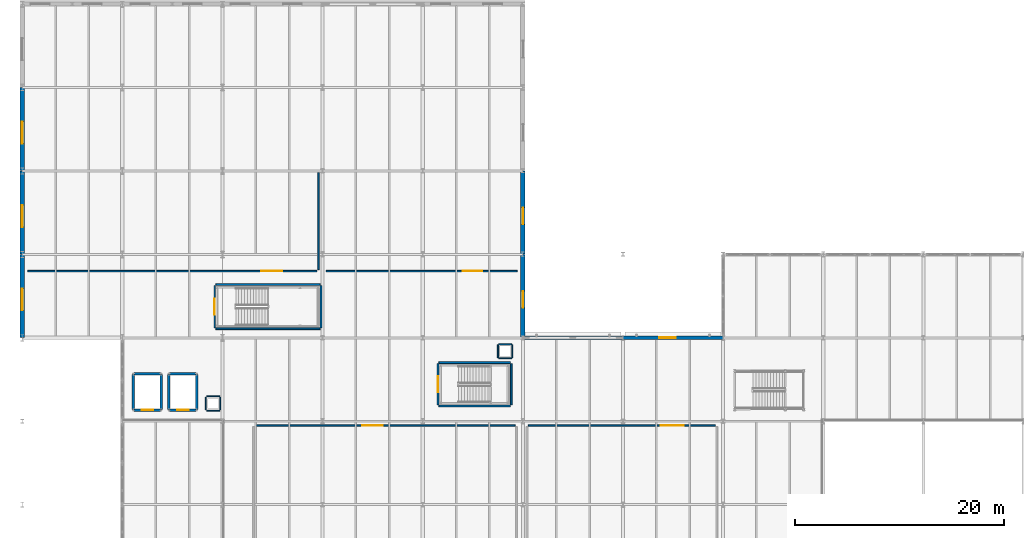
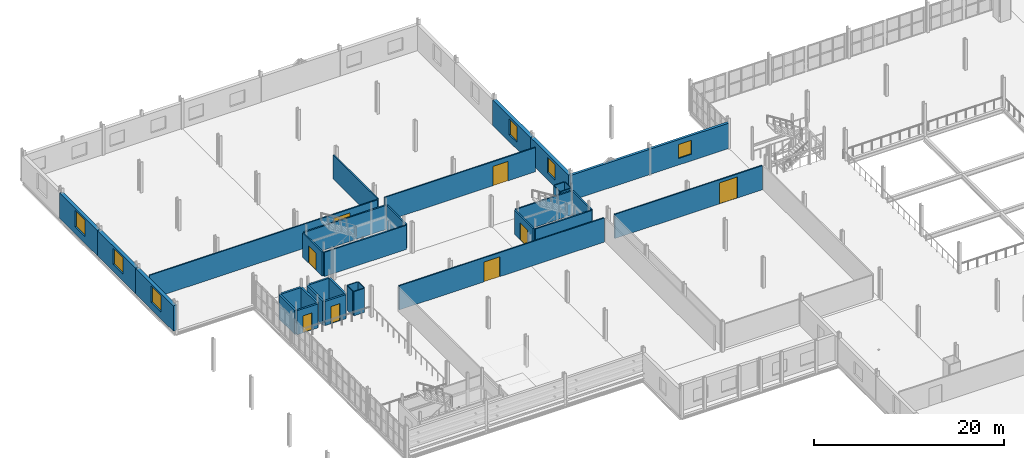
# One storey, part 62 of 78: 36 walls, 8 doors, 6 windows, 14 openings.
"""IFC4 building model written with IfcOpenShell, lengths in metres."""

from ifc_helpers import new_model, si_unit, direction, frame, frame_2d, origin, place, context, subcontext, project, spatial, rectangle, extrude, material, layer, layer_set, type_object, element, fill, save


model = new_model("IFC4")

# Units and contexts
model_context = context("Model", 3, precision=1e-05, world=origin(), true_north=direction((0.0, 1.0)))
body_context = subcontext(model_context, "Body", "Model", "MODEL_VIEW")
ifc_project = project(units=[si_unit("LENGTHUNIT", "METRE"), si_unit("AREAUNIT", "SQUARE_METRE"), si_unit("VOLUMEUNIT", "CUBIC_METRE"), si_unit("PLANEANGLEUNIT", "RADIAN"), si_unit("MASSUNIT", "GRAM", prefix="KILO")], contexts=[model_context])

# Site, building, storey
site_placement = place(None, origin())
site = spatial("IfcSite", under=ifc_project, at=site_placement, CompositionType="ELEMENT")
building_placement = place(site_placement, origin())
building = spatial("IfcBuilding", under=site, at=building_placement, Name="Alderhovde Museum", CompositionType="ELEMENT")
storey_placement = place(building_placement, frame((0.0, 0.0, 4.5)))
storey = spatial("IfcBuildingStorey", under=building, at=storey_placement, Name="L01", CompositionType="ELEMENT", Elevation=4.5)

# Wall, opening, window
ifc_material_1 = material(Name="Nordic Granite Plinth Masonry", Category="masonry")
ifc_layer_1 = layer(ifc_material_1, 0.419921875)
ifc_layer_set_1 = layer_set([ifc_layer_1], Name="Nordic Granite Plinth Masonry")
wall_type_1 = type_object("IfcWallType", Name="EW-GRAN-420", PredefinedType="SOLIDWALL", material=ifc_layer_set_1)
wall_1_placement = place(storey_placement, frame((9.60009765625, 80.02001953125, 0.0), z_axis=(0.0, 0.0, 1.0), x_axis=(0.0, 1.0, 0.0)))
wall_1 = element("IfcWall", 1, at=wall_1_placement, inside=storey, type_object=wall_type_1, Name="L01 North Wing West Wall 133", PredefinedType="SOLIDWALL", context=body_context, shape_type="SweptSolid", body=[
    extrude(rectangle(XDim=7.9599609375, YDim=0.419921875, at=frame_2d((3.97998046875, 0.0))), origin(), (0.0, 0.0, 1.0), 3.260009765625),
])
opening_1_placement = place(wall_1_placement, frame((2.60009765625, 0.0, 0.89990234375)))
opening_1 = element("IfcOpeningElement", 2, at=opening_1_placement, cuts=wall_1, Name="Opening W10", PredefinedType="OPENING", context=body_context, shape_type="SweptSolid", body=[
    extrude(rectangle(XDim=2.10009765625, YDim=2.10009765625, at=frame_2d((1.050048828125, 1.050048828125))), frame((0.0, 0.219970703125, 0.0), z_axis=(0.0, -1.0, 0.0), x_axis=(1.0, 0.0, 0.0)), (0.0, 0.0, 1.0), 0.43994140625),
])
ifc_material_2 = material(Name="Triple-Glazed Low-E Bronze-Anodised Aluminium", Category="aluminium")
window_type_1 = type_object("IfcWindowType", Name="WIN-BA-2100x2100", PartitioningType="DOUBLE_PANEL_VERTICAL", PredefinedType="WINDOW", material=ifc_material_2)
window_1_placement = place(opening_1_placement, origin())
window_1 = element("IfcWindow", 3, at=window_1_placement, inside=storey, type_object=window_type_1, Name="L01 Facade Window 111", OverallHeight=2.10009765625, OverallWidth=2.10009765625, PartitioningType="SINGLE_PANEL", PredefinedType="WINDOW", context=body_context, shape_type="SweptSolid", body=[
    extrude(rectangle(XDim=2.10009765625, YDim=2.10009765625, at=frame_2d((1.050048828125, 1.050048828125))), frame((0.0, 0.030029296875, 0.0), z_axis=(0.0, -1.0, 0.0), x_axis=(1.0, 0.0, 0.0)), (0.0, 0.0, 1.0), 0.06005859375),
])
fill(opening_1, window_1)

wall_2_placement = place(storey_placement, frame((57.60009765625, 80.02001953125, 0.0), z_axis=(0.0, 0.0, 1.0), x_axis=(0.0, 1.0, 0.0)))
wall_2 = element("IfcWall", 4, at=wall_2_placement, inside=storey, type_object=wall_type_1, Name="L01 North Wing East Wall 134", PredefinedType="SOLIDWALL", context=body_context, shape_type="SweptSolid", body=[
    extrude(rectangle(XDim=7.9599609375, YDim=0.419921875, at=frame_2d((3.97998046875, 0.0))), origin(), (0.0, 0.0, 1.0), 3.260009765625),
])
opening_2_placement = place(wall_2_placement, frame((2.85009765625, 0.0, 0.89990234375)))
opening_2 = element("IfcOpeningElement", 5, at=opening_2_placement, cuts=wall_2, Name="Opening W17", PredefinedType="OPENING", context=body_context, shape_type="SweptSolid", body=[
    extrude(rectangle(XDim=1.60009765625, YDim=2.0, at=frame_2d((0.800048828125, 1.0))), frame((0.0, 0.219970703125, 0.0), z_axis=(0.0, -1.0, 0.0), x_axis=(1.0, 0.0, 0.0)), (0.0, 0.0, 1.0), 0.43994140625),
])
ifc_material_3 = material(Name="Triple-Glazed Low-E Bronze-Anodised Aluminium", Category="aluminium")
window_type_2 = type_object("IfcWindowType", Name="WIN-LAB-1600x2000", PartitioningType="DOUBLE_PANEL_VERTICAL", PredefinedType="WINDOW", material=ifc_material_3)
window_2_placement = place(opening_2_placement, origin())
window_2 = element("IfcWindow", 6, at=window_2_placement, inside=storey, type_object=window_type_2, Name="L01 Facade Window 112", OverallHeight=2.0, OverallWidth=1.60009765625, PartitioningType="SINGLE_PANEL", PredefinedType="WINDOW", context=body_context, shape_type="SweptSolid", body=[
    extrude(rectangle(XDim=1.60009765625, YDim=2.0, at=frame_2d((0.800048828125, 1.0))), frame((0.0, 0.030029296875, 0.0), z_axis=(0.0, -1.0, 0.0), x_axis=(1.0, 0.0, 0.0)), (0.0, 0.0, 1.0), 0.06005859375),
])
fill(opening_2, window_2)

wall_3_placement = place(storey_placement, frame((9.60009765625, 88.02001953125, 0.0), z_axis=(0.0, 0.0, 1.0), x_axis=(0.0, 1.0, 0.0)))
wall_3 = element("IfcWall", 7, at=wall_3_placement, inside=storey, type_object=wall_type_1, Name="L01 North Wing West Wall 135", PredefinedType="SOLIDWALL", context=body_context, shape_type="SweptSolid", body=[
    extrude(rectangle(XDim=7.9599609375, YDim=0.419921875, at=frame_2d((3.97998046875, 0.0))), origin(), (0.0, 0.0, 1.0), 3.260009765625),
])
opening_3_placement = place(wall_3_placement, frame((2.60009765625, 0.0, 0.89990234375)))
opening_3 = element("IfcOpeningElement", 8, at=opening_3_placement, cuts=wall_3, Name="Opening W10", PredefinedType="OPENING", context=body_context, shape_type="SweptSolid", body=[
    extrude(rectangle(XDim=2.10009765625, YDim=2.10009765625, at=frame_2d((1.050048828125, 1.050048828125))), frame((0.0, 0.219970703125, 0.0), z_axis=(0.0, -1.0, 0.0), x_axis=(1.0, 0.0, 0.0)), (0.0, 0.0, 1.0), 0.43994140625),
])
window_3_placement = place(opening_3_placement, origin())
window_3 = element("IfcWindow", 9, at=window_3_placement, inside=storey, type_object=window_type_1, Name="L01 Facade Window 113", OverallHeight=2.10009765625, OverallWidth=2.10009765625, PartitioningType="SINGLE_PANEL", PredefinedType="WINDOW", context=body_context, shape_type="SweptSolid", body=[
    extrude(rectangle(XDim=2.10009765625, YDim=2.10009765625, at=frame_2d((1.050048828125, 1.050048828125))), frame((0.0, 0.030029296875, 0.0), z_axis=(0.0, -1.0, 0.0), x_axis=(1.0, 0.0, 0.0)), (0.0, 0.0, 1.0), 0.06005859375),
])
fill(opening_3, window_3)

wall_4_placement = place(storey_placement, frame((57.60009765625, 88.02001953125, 0.0), z_axis=(0.0, 0.0, 1.0), x_axis=(0.0, 1.0, 0.0)))
wall_4 = element("IfcWall", 10, at=wall_4_placement, inside=storey, type_object=wall_type_1, Name="L01 North Wing East Wall 136", PredefinedType="SOLIDWALL", context=body_context, shape_type="SweptSolid", body=[
    extrude(rectangle(XDim=7.9599609375, YDim=0.419921875, at=frame_2d((3.97998046875, 0.0))), origin(), (0.0, 0.0, 1.0), 3.260009765625),
])
opening_4_placement = place(wall_4_placement, frame((2.85009765625, 0.0, 0.89990234375)))
opening_4 = element("IfcOpeningElement", 11, at=opening_4_placement, cuts=wall_4, Name="Opening W17", PredefinedType="OPENING", context=body_context, shape_type="SweptSolid", body=[
    extrude(rectangle(XDim=1.60009765625, YDim=2.0, at=frame_2d((0.800048828125, 1.0))), frame((0.0, 0.219970703125, 0.0), z_axis=(0.0, -1.0, 0.0), x_axis=(1.0, 0.0, 0.0)), (0.0, 0.0, 1.0), 0.43994140625),
])
window_4_placement = place(opening_4_placement, origin())
window_4 = element("IfcWindow", 12, at=window_4_placement, inside=storey, type_object=window_type_2, Name="L01 Facade Window 114", OverallHeight=2.0, OverallWidth=1.60009765625, PartitioningType="SINGLE_PANEL", PredefinedType="WINDOW", context=body_context, shape_type="SweptSolid", body=[
    extrude(rectangle(XDim=1.60009765625, YDim=2.0, at=frame_2d((0.800048828125, 1.0))), frame((0.0, 0.030029296875, 0.0), z_axis=(0.0, -1.0, 0.0), x_axis=(1.0, 0.0, 0.0)), (0.0, 0.0, 1.0), 0.06005859375),
])
fill(opening_4, window_4)

wall_5_placement = place(storey_placement, frame((9.60009765625, 96.02001953125, 0.0), z_axis=(0.0, 0.0, 1.0), x_axis=(0.0, 1.0, 0.0)))
wall_5 = element("IfcWall", 13, at=wall_5_placement, inside=storey, type_object=wall_type_1, Name="L01 North Wing West Wall 137", PredefinedType="SOLIDWALL", context=body_context, shape_type="SweptSolid", body=[
    extrude(rectangle(XDim=7.9599609375, YDim=0.419921875, at=frame_2d((3.97998046875, 0.0))), origin(), (0.0, 0.0, 1.0), 3.260009765625),
])
opening_5_placement = place(wall_5_placement, frame((2.60009765625, 0.0, 0.89990234375)))
opening_5 = element("IfcOpeningElement", 14, at=opening_5_placement, cuts=wall_5, Name="Opening W10", PredefinedType="OPENING", context=body_context, shape_type="SweptSolid", body=[
    extrude(rectangle(XDim=2.10009765625, YDim=2.10009765625, at=frame_2d((1.050048828125, 1.050048828125))), frame((0.0, 0.219970703125, 0.0), z_axis=(0.0, -1.0, 0.0), x_axis=(1.0, 0.0, 0.0)), (0.0, 0.0, 1.0), 0.43994140625),
])
window_5_placement = place(opening_5_placement, origin())
window_5 = element("IfcWindow", 15, at=window_5_placement, inside=storey, type_object=window_type_1, Name="L01 Facade Window 115", OverallHeight=2.10009765625, OverallWidth=2.10009765625, PartitioningType="SINGLE_PANEL", PredefinedType="WINDOW", context=body_context, shape_type="SweptSolid", body=[
    extrude(rectangle(XDim=2.10009765625, YDim=2.10009765625, at=frame_2d((1.050048828125, 1.050048828125))), frame((0.0, 0.030029296875, 0.0), z_axis=(0.0, -1.0, 0.0), x_axis=(1.0, 0.0, 0.0)), (0.0, 0.0, 1.0), 0.06005859375),
])
fill(opening_5, window_5)

# Wall
ifc_material_4 = material(Name="Insulated Zinc-Clad Backing Wall")
ifc_layer_2 = layer(ifc_material_4, 0.300048828125)
ifc_layer_set_2 = layer_set([ifc_layer_2], Name="Insulated Zinc-Clad Backing Wall")
wall_type_2 = type_object("IfcWallType", Name="EW-ZINC-300", PredefinedType="SOLIDWALL", material=ifc_layer_set_2)
wall_6_placement = place(storey_placement, frame((57.6201171875, 80.0, 0.0), z_axis=(0.0, 0.0, 1.0), x_axis=(1.0, 0.0, 0.0)))
element("IfcWall", 16, at=wall_6_placement, inside=storey, type_object=wall_type_2, Name="L01 Folded Wing North Wall 20", PredefinedType="SOLIDWALL", context=body_context, shape_type="SweptSolid", body=[
    extrude(rectangle(XDim=9.559814453125, YDim=0.300048828125, at=frame_2d((4.77978515625, 0.0))), origin(), (0.0, 0.0, 1.0), 3.260009765625),
])

# Wall, opening, window
wall_7_placement = place(storey_placement, frame((67.219970703125, 80.0, 0.0), z_axis=(0.0, 0.0, 1.0), x_axis=(1.0, 0.0, 0.0)))
wall_7 = element("IfcWall", 17, at=wall_7_placement, inside=storey, type_object=wall_type_2, Name="L01 Folded Wing North Wall 21", PredefinedType="SOLIDWALL", context=body_context, shape_type="SweptSolid", body=[
    extrude(rectangle(XDim=9.56005859375, YDim=0.300048828125, at=frame_2d((4.780029296875, 0.0))), origin(), (0.0, 0.0, 1.0), 3.260009765625),
])
opening_6_placement = place(wall_7_placement, frame((3.449951171875, 0.0, 0.85009765625)))
opening_6 = element("IfcOpeningElement", 18, at=opening_6_placement, cuts=wall_7, Name="Opening W12", PredefinedType="OPENING", context=body_context, shape_type="SweptSolid", body=[
    extrude(rectangle(XDim=1.60009765625, YDim=1.800048828125, at=frame_2d((0.800048828125, 0.89990234375))), frame((0.0, 0.159912109375, 0.0), z_axis=(0.0, -1.0, 0.0), x_axis=(1.0, 0.0, 0.0)), (0.0, 0.0, 1.0), 0.320068359375),
])
ifc_material_5 = material(Name="Triple-Glazed Low-E Bronze-Anodised Aluminium", Category="aluminium")
window_type_3 = type_object("IfcWindowType", Name="WIN-ATT-1600x1800", PartitioningType="DOUBLE_PANEL_VERTICAL", PredefinedType="WINDOW", material=ifc_material_5)
window_6_placement = place(opening_6_placement, origin())
window_6 = element("IfcWindow", 19, at=window_6_placement, inside=storey, type_object=window_type_3, Name="L01 Facade Window 17", OverallHeight=1.800048828125, OverallWidth=1.60009765625, PartitioningType="SINGLE_PANEL", PredefinedType="WINDOW", context=body_context, shape_type="SweptSolid", body=[
    extrude(rectangle(XDim=1.60009765625, YDim=1.800048828125, at=frame_2d((0.800048828125, 0.89990234375))), frame((0.0, 0.030029296875, 0.0), z_axis=(0.0, -1.0, 0.0), x_axis=(1.0, 0.0, 0.0)), (0.0, 0.0, 1.0), 0.06005859375),
])
fill(opening_6, window_6)

# Wall, opening, door
ifc_material_6 = material(Name="Plywood-Backed Gallery Display Partition", Category="wood")
ifc_layer_3 = layer(ifc_material_6, 0.14990234375)
ifc_layer_set_3 = layer_set([ifc_layer_3], Name="Plywood-Backed Gallery Display Partition")
wall_type_3 = type_object("IfcWallType", Name="IW-GAL-150", PredefinedType="PARTITIONING", material=ifc_layer_set_3)
wall_8_placement = place(storey_placement, frame((31.93994140625, 71.60009765625, 0.0), z_axis=(0.0, 0.0, 1.0), x_axis=(1.0, 0.0, 0.0)))
wall_8 = element("IfcWall", 20, at=wall_8_placement, inside=storey, type_object=wall_type_3, Name="L01 Classical Antiquities Gallery Partition Wall N", PredefinedType="PARTITIONING", context=body_context, shape_type="SweptSolid", body=[
    extrude(rectangle(XDim=24.920166015625, YDim=0.14990234375, at=frame_2d((12.4599609375, 0.0))), origin(), (0.0, 0.0, 1.0), 3.10009765625),
])
opening_7_placement = place(wall_8_placement, frame((10.278076171875, 0.0, 0.0)))
opening_7 = element("IfcOpeningElement", 21, at=opening_7_placement, cuts=wall_8, Name="Opening D12", PredefinedType="OPENING", context=body_context, shape_type="SweptSolid", body=[
    extrude(rectangle(XDim=1.949951171875, YDim=2.550048828125, at=frame_2d((0.97509765625, 1.27490234375))), frame((0.0, 0.0849609375, 0.0), z_axis=(0.0, -1.0, 0.0), x_axis=(1.0, 0.0, 0.0)), (0.0, 0.0, 1.0), 0.169921875),
])
ifc_material_7 = material(Name="Natural History Double Door (Steel/Oak)", Category="steel")
door_type_1 = type_object("IfcDoorType", Name="ID-GAL-1950x2550", OperationType="NOTDEFINED", PredefinedType="DOOR", material=ifc_material_7)
door_1_placement = place(opening_7_placement, origin())
door_1 = element("IfcDoor", 22, at=door_1_placement, inside=storey, type_object=door_type_1, Name="L01 Classical Antiquities Gallery Door", OperationType="DOUBLE_DOOR_SINGLE_SWING", OverallHeight=2.550048828125, OverallWidth=1.949951171875, PredefinedType="DOOR", context=body_context, shape_type="SweptSolid", body=[
    extrude(rectangle(XDim=1.949951171875, YDim=2.550048828125, at=frame_2d((0.97509765625, 1.27490234375))), frame((0.0, 0.02490234375, 0.0), z_axis=(0.0, -1.0, 0.0), x_axis=(1.0, 0.0, 0.0)), (0.0, 0.0, 1.0), 0.050048828125),
])
fill(opening_7, door_1)

wall_9_placement = place(storey_placement, frame((58.139892578125, 71.60009765625, 0.0), z_axis=(0.0, 0.0, 1.0), x_axis=(1.0, 0.0, 0.0)))
wall_9 = element("IfcWall", 23, at=wall_9_placement, inside=storey, type_object=wall_type_3, Name="L01 Maritime Heritage Room Partition Wall N", PredefinedType="PARTITIONING", context=body_context, shape_type="SweptSolid", body=[
    extrude(rectangle(XDim=17.920166015625, YDim=0.14990234375, at=frame_2d((8.9599609375, 0.0))), origin(), (0.0, 0.0, 1.0), 3.10009765625),
])
opening_8_placement = place(wall_9_placement, frame((12.68603515625, 0.0, 0.0)))
opening_8 = element("IfcOpeningElement", 24, at=opening_8_placement, cuts=wall_9, Name="Opening D01", PredefinedType="OPENING", context=body_context, shape_type="SweptSolid", body=[
    extrude(rectangle(XDim=2.199951171875, YDim=2.699951171875, at=frame_2d((1.10009765625, 1.35009765625))), frame((0.0, 0.0849609375, 0.0), z_axis=(0.0, -1.0, 0.0), x_axis=(1.0, 0.0, 0.0)), (0.0, 0.0, 1.0), 0.169921875),
])
ifc_material_8 = material(Name="Grand Gallery Portal Double Door (Steel/Oak)", Category="steel")
door_type_2 = type_object("IfcDoorType", Name="ID-GAL-2200x2700", OperationType="NOTDEFINED", PredefinedType="DOOR", material=ifc_material_8)
door_2_placement = place(opening_8_placement, origin())
door_2 = element("IfcDoor", 25, at=door_2_placement, inside=storey, type_object=door_type_2, Name="L01 Maritime Heritage Room Door", OperationType="DOUBLE_DOOR_SINGLE_SWING", OverallHeight=2.699951171875, OverallWidth=2.199951171875, PredefinedType="DOOR", context=body_context, shape_type="SweptSolid", body=[
    extrude(rectangle(XDim=2.199951171875, YDim=2.699951171875, at=frame_2d((1.10009765625, 1.35009765625))), frame((0.0, 0.02490234375, 0.0), z_axis=(0.0, -1.0, 0.0), x_axis=(1.0, 0.0, 0.0)), (0.0, 0.0, 1.0), 0.050048828125),
])
fill(opening_8, door_2)

wall_10_placement = place(storey_placement, frame((10.139892578125, 86.39990234375, 0.0), z_axis=(0.0, 0.0, 1.0), x_axis=(1.0, 0.0, 0.0)))
wall_10 = element("IfcWall", 26, at=wall_10_placement, inside=storey, type_object=wall_type_3, Name="L01 Oslo Fjord Ecology Gallery West Partition Wall S", PredefinedType="PARTITIONING", context=body_context, shape_type="SweptSolid", body=[
    extrude(rectangle(XDim=27.72021484375, YDim=0.14990234375, at=frame_2d((13.860107421875, 0.0))), origin(), (0.0, 0.0, 1.0), 3.10009765625),
])
opening_9_placement = place(wall_10_placement, frame((22.3779296875, 0.0, 0.0)))
opening_9 = element("IfcOpeningElement", 27, at=opening_9_placement, cuts=wall_10, Name="Opening D02", PredefinedType="OPENING", context=body_context, shape_type="SweptSolid", body=[
    extrude(rectangle(XDim=2.0, YDim=2.60009765625, at=frame_2d((1.0, 1.300048828125))), frame((0.0, 0.0849609375, 0.0), z_axis=(0.0, -1.0, 0.0), x_axis=(1.0, 0.0, 0.0)), (0.0, 0.0, 1.0), 0.169921875),
])
ifc_material_9 = material(Name="Exhibition Enfilade Double Door (Steel/Oak)", Category="steel")
door_type_3 = type_object("IfcDoorType", Name="ID-GAL-2000x2600", OperationType="NOTDEFINED", PredefinedType="DOOR", material=ifc_material_9)
door_3_placement = place(opening_9_placement, origin())
door_3 = element("IfcDoor", 28, at=door_3_placement, inside=storey, type_object=door_type_3, Name="L01 Oslo Fjord Ecology Gallery West Door", OperationType="DOUBLE_DOOR_SINGLE_SWING", OverallHeight=2.60009765625, OverallWidth=2.0, PredefinedType="DOOR", context=body_context, shape_type="SweptSolid", body=[
    extrude(rectangle(XDim=2.0, YDim=2.60009765625, at=frame_2d((1.0, 1.300048828125))), frame((0.0, 0.02490234375, 0.0), z_axis=(0.0, -1.0, 0.0), x_axis=(1.0, 0.0, 0.0)), (0.0, 0.0, 1.0), 0.050048828125),
])
fill(opening_9, door_3)

# Wall
wall_11_placement = place(storey_placement, frame((38.0, 86.5400390625, 0.0), z_axis=(0.0, 0.0, 1.0), x_axis=(0.0, 1.0, 0.0)))
element("IfcWall", 29, at=wall_11_placement, inside=storey, type_object=wall_type_3, Name="L01 Oslo Fjord Ecology Gallery West Partition Wall E", PredefinedType="PARTITIONING", context=body_context, shape_type="SweptSolid", body=[
    extrude(rectangle(XDim=9.2900390625, YDim=0.14990234375, at=frame_2d((4.64501953125, 0.0))), origin(), (0.0, 0.0, 1.0), 3.10009765625),
])

# Wall, opening, door
wall_12_placement = place(storey_placement, frame((38.739990234375, 86.39990234375, 0.0), z_axis=(0.0, 0.0, 1.0), x_axis=(1.0, 0.0, 0.0)))
wall_12 = element("IfcWall", 30, at=wall_12_placement, inside=storey, type_object=wall_type_3, Name="L01 Oslo Fjord Ecology Gallery East Partition Wall S", PredefinedType="PARTITIONING", context=body_context, shape_type="SweptSolid", body=[
    extrude(rectangle(XDim=18.320068359375, YDim=0.14990234375, at=frame_2d((9.16015625, 0.0))), origin(), (0.0, 0.0, 1.0), 3.10009765625),
])
opening_10_placement = place(wall_12_placement, frame((13.10595703125, 0.0, 0.0)))
opening_10 = element("IfcOpeningElement", 31, at=opening_10_placement, cuts=wall_12, Name="Opening D03", PredefinedType="OPENING", context=body_context, shape_type="SweptSolid", body=[
    extrude(rectangle(XDim=1.85009765625, YDim=2.5, at=frame_2d((0.925048828125, 1.25))), frame((0.0, 0.0849609375, 0.0), z_axis=(0.0, -1.0, 0.0), x_axis=(1.0, 0.0, 0.0)), (0.0, 0.0, 1.0), 0.169921875),
])
ifc_material_10 = material(Name="Gallery Passage Double Door (Steel/Oak)", Category="steel")
door_type_4 = type_object("IfcDoorType", Name="ID-GAL-1850x2500", OperationType="NOTDEFINED", PredefinedType="DOOR", material=ifc_material_10)
door_4_placement = place(opening_10_placement, origin())
door_4 = element("IfcDoor", 32, at=door_4_placement, inside=storey, type_object=door_type_4, Name="L01 Oslo Fjord Ecology Gallery East Door", OperationType="DOUBLE_DOOR_SINGLE_SWING", OverallHeight=2.5, OverallWidth=1.85009765625, PredefinedType="DOOR", context=body_context, shape_type="SweptSolid", body=[
    extrude(rectangle(XDim=1.85009765625, YDim=2.5, at=frame_2d((0.925048828125, 1.25))), frame((0.0, 0.02490234375, 0.0), z_axis=(0.0, -1.0, 0.0), x_axis=(1.0, 0.0, 0.0)), (0.0, 0.0, 1.0), 0.050048828125),
])
fill(opening_10, door_4)

# Walls
ifc_material_11 = material(Name="Acoustic Service Riser Lining Wall")
ifc_layer_4 = layer(ifc_material_11, 0.10009765625)
ifc_layer_set_4 = layer_set([ifc_layer_4], Name="Acoustic Service Riser Lining Wall")
wall_type_4 = type_object("IfcWallType", Name="IW-LIN-100", PredefinedType="PARTITIONING", material=ifc_layer_set_4)
for number, where, z_axis, x_axis, name in (
    (33, (27.280029296875, 74.3798828125, 0.0), (0.0, 0.0, 1.0), (1.0, 0.0, 0.0), "L01 Service Riser RSR-V1A Shaft Wall N"),
    (34, (27.280029296875, 73.02001953125, 0.0), (0.0, 0.0, 1.0), (1.0, 0.0, 0.0), "L01 Service Riser RSR-V1A Shaft Wall S"),
    (35, (27.219970703125, 73.080078125, 0.0), (0.0, 0.0, 1.0), (0.0, 1.0, 0.0), "L01 Service Riser RSR-V1A Shaft Wall W"),
    (36, (28.580078125, 73.080078125, 0.0), (0.0, 0.0, 1.0), (0.0, 1.0, 0.0), "L01 Service Riser RSR-V1A Shaft Wall E"),
    (37, (55.280029296875, 79.3798828125, 0.0), (0.0, 0.0, 1.0), (1.0, 0.0, 0.0), "L01 Service Riser RSR-V4 Shaft Wall N"),
    (38, (55.280029296875, 78.02001953125, 0.0), (0.0, 0.0, 1.0), (1.0, 0.0, 0.0), "L01 Service Riser RSR-V4 Shaft Wall S"),
    (39, (55.219970703125, 78.080078125, 0.0), (0.0, 0.0, 1.0), (0.0, 1.0, 0.0), "L01 Service Riser RSR-V4 Shaft Wall W"),
    (40, (56.580078125, 78.080078125, 0.0), (0.0, 0.0, 1.0), (0.0, 1.0, 0.0), "L01 Service Riser RSR-V4 Shaft Wall E"),
):
    element("IfcWall", number, at=place(storey_placement, frame(where, z_axis=z_axis, x_axis=x_axis)), inside=storey, type_object=wall_type_4, Name=name, PredefinedType="PARTITIONING", context=body_context, shape_type="SweptSolid", body=[
        extrude(rectangle(XDim=1.239990234375, YDim=0.10009765625, at=frame_2d((0.6201171875, 0.0))), origin(), (0.0, 0.0, 1.0), 3.10009765625),
    ])

# Wall, opening, door
ifc_material_12 = material(Name="Concrete C40/50 and Fireboard Shaft Wall", Category="concrete")
ifc_layer_5 = layer(ifc_material_12, 0.22998046875)
ifc_layer_set_5 = layer_set([ifc_layer_5], Name="Concrete C40/50 and Fireboard Shaft Wall")
wall_type_5 = type_object("IfcWallType", Name="IW-SHAFT-230", PredefinedType="SOLIDWALL", material=ifc_layer_set_5)
wall_13_placement = place(storey_placement, frame((20.340087890625, 73.06005859375, 0.0), z_axis=(0.0, 0.0, 1.0), x_axis=(1.0, 0.0, 0.0)))
wall_13 = element("IfcWall", 41, at=wall_13_placement, inside=storey, type_object=wall_type_5, Name="L01 Passenger Lift PL-01 Shaft Wall South", PredefinedType="SOLIDWALL", context=body_context, shape_type="SweptSolid", body=[
    extrude(rectangle(XDim=2.52001953125, YDim=0.22998046875, at=frame_2d((1.260009765625, 0.0))), origin(), (0.0, 0.0, 1.0), 3.10009765625),
])
opening_11_placement = place(wall_13_placement, frame((0.7099609375, 0.0, 0.0)))
opening_11 = element("IfcOpeningElement", 42, at=opening_11_placement, cuts=wall_13, Name="Opening LD-1", PredefinedType="OPENING", context=body_context, shape_type="SweptSolid", body=[
    extrude(rectangle(XDim=1.10009765625, YDim=2.199951171875, at=frame_2d((0.550048828125, 1.10009765625))), frame((0.0, 0.125, 0.0), z_axis=(0.0, -1.0, 0.0), x_axis=(1.0, 0.0, 0.0)), (0.0, 0.0, 1.0), 0.25),
])
ifc_material_13 = material(Name="Passenger Lift Sliding Landing Door (Steel/Oak)", Category="steel")
door_type_5 = type_object("IfcDoorType", Name="LD-PASS-1100x2200", OperationType="SLIDING_TO_LEFT", PredefinedType="DOOR", material=ifc_material_13)
door_5_placement = place(opening_11_placement, origin())
door_5 = element("IfcDoor", 43, at=door_5_placement, inside=storey, type_object=door_type_5, Name="L01 Passenger Lift PL-01 Landing Door", OperationType="SLIDING_TO_LEFT", OverallHeight=2.199951171875, OverallWidth=1.10009765625, PredefinedType="DOOR", context=body_context, shape_type="SweptSolid", body=[
    extrude(rectangle(XDim=1.10009765625, YDim=2.199951171875, at=frame_2d((0.550048828125, 1.10009765625))), frame((0.0, 0.02490234375, 0.0), z_axis=(0.0, -1.0, 0.0), x_axis=(1.0, 0.0, 0.0)), (0.0, 0.0, 1.0), 0.050048828125),
])
fill(opening_11, door_5)

# Walls
wall_14_placement = place(storey_placement, frame((20.340087890625, 76.5400390625, 0.0), z_axis=(0.0, 0.0, 1.0), x_axis=(1.0, 0.0, 0.0)))
element("IfcWall", 44, at=wall_14_placement, inside=storey, type_object=wall_type_5, Name="L01 Passenger Lift PL-01 Shaft Wall North", PredefinedType="SOLIDWALL", context=body_context, shape_type="SweptSolid", body=[
    extrude(rectangle(XDim=2.52001953125, YDim=0.22998046875, at=frame_2d((1.260009765625, 0.0))), origin(), (0.0, 0.0, 1.0), 3.10009765625),
])
for number, where, z_axis, x_axis, name in (
    (45, (20.260009765625, 73.139892578125, 0.0), (0.0, 0.0, 1.0), (0.0, 1.0, 0.0), "L01 Passenger Lift PL-01 Shaft Wall West"),
    (46, (22.93994140625, 73.139892578125, 0.0), (0.0, 0.0, 1.0), (0.0, 1.0, 0.0), "L01 Passenger Lift PL-01 Shaft Wall East"),
):
    element("IfcWall", number, at=place(storey_placement, frame(where, z_axis=z_axis, x_axis=x_axis)), inside=storey, type_object=wall_type_5, Name=name, PredefinedType="SOLIDWALL", context=body_context, shape_type="SweptSolid", body=[
        extrude(rectangle(XDim=3.320068359375, YDim=0.22998046875, at=frame_2d((1.66015625, 0.0))), origin(), (0.0, 0.0, 1.0), 3.10009765625),
    ])

# Wall, opening, door
wall_15_placement = place(storey_placement, frame((23.739990234375, 73.06005859375, 0.0), z_axis=(0.0, 0.0, 1.0), x_axis=(1.0, 0.0, 0.0)))
wall_15 = element("IfcWall", 47, at=wall_15_placement, inside=storey, type_object=wall_type_5, Name="L01 Passenger Lift PL-02 Shaft Wall South", PredefinedType="SOLIDWALL", context=body_context, shape_type="SweptSolid", body=[
    extrude(rectangle(XDim=2.52001953125, YDim=0.22998046875, at=frame_2d((1.260009765625, 0.0))), origin(), (0.0, 0.0, 1.0), 3.10009765625),
])
opening_12_placement = place(wall_15_placement, frame((0.7099609375, 0.0, 0.0)))
opening_12 = element("IfcOpeningElement", 48, at=opening_12_placement, cuts=wall_15, Name="Opening LD-1", PredefinedType="OPENING", context=body_context, shape_type="SweptSolid", body=[
    extrude(rectangle(XDim=1.10009765625, YDim=2.199951171875, at=frame_2d((0.550048828125, 1.10009765625))), frame((0.0, 0.125, 0.0), z_axis=(0.0, -1.0, 0.0), x_axis=(1.0, 0.0, 0.0)), (0.0, 0.0, 1.0), 0.25),
])
door_6_placement = place(opening_12_placement, origin())
door_6 = element("IfcDoor", 49, at=door_6_placement, inside=storey, type_object=door_type_5, Name="L01 Passenger Lift PL-02 Landing Door", OperationType="SLIDING_TO_RIGHT", OverallHeight=2.199951171875, OverallWidth=1.10009765625, PredefinedType="DOOR", context=body_context, shape_type="SweptSolid", body=[
    extrude(rectangle(XDim=1.10009765625, YDim=2.199951171875, at=frame_2d((0.550048828125, 1.10009765625))), frame((0.0, 0.02490234375, 0.0), z_axis=(0.0, -1.0, 0.0), x_axis=(1.0, 0.0, 0.0)), (0.0, 0.0, 1.0), 0.050048828125),
])
fill(opening_12, door_6)

# Walls
wall_16_placement = place(storey_placement, frame((23.739990234375, 76.5400390625, 0.0), z_axis=(0.0, 0.0, 1.0), x_axis=(1.0, 0.0, 0.0)))
element("IfcWall", 50, at=wall_16_placement, inside=storey, type_object=wall_type_5, Name="L01 Passenger Lift PL-02 Shaft Wall North", PredefinedType="SOLIDWALL", context=body_context, shape_type="SweptSolid", body=[
    extrude(rectangle(XDim=2.52001953125, YDim=0.22998046875, at=frame_2d((1.260009765625, 0.0))), origin(), (0.0, 0.0, 1.0), 3.10009765625),
])
for number, where, z_axis, x_axis, name in (
    (51, (23.659912109375, 73.139892578125, 0.0), (0.0, 0.0, 1.0), (0.0, 1.0, 0.0), "L01 Passenger Lift PL-02 Shaft Wall West"),
    (52, (26.340087890625, 73.139892578125, 0.0), (0.0, 0.0, 1.0), (0.0, 1.0, 0.0), "L01 Passenger Lift PL-02 Shaft Wall East"),
):
    element("IfcWall", number, at=place(storey_placement, frame(where, z_axis=z_axis, x_axis=x_axis)), inside=storey, type_object=wall_type_5, Name=name, PredefinedType="SOLIDWALL", context=body_context, shape_type="SweptSolid", body=[
        extrude(rectangle(XDim=3.320068359375, YDim=0.22998046875, at=frame_2d((1.66015625, 0.0))), origin(), (0.0, 0.0, 1.0), 3.10009765625),
    ])

# Wall, opening, door
ifc_material_14 = material(Name="Fire-Resisting Stair Lobby Wall")
ifc_layer_6 = layer(ifc_material_14, 0.169921875)
ifc_layer_set_6 = layer_set([ifc_layer_6], Name="Fire-Resisting Stair Lobby Wall")
wall_type_6 = type_object("IfcWallType", Name="IW-STAIR-170", PredefinedType="SOLIDWALL", material=ifc_layer_set_6)
wall_17_placement = place(storey_placement, frame((28.06005859375, 80.9599609375, 0.0), z_axis=(0.0, 0.0, 1.0), x_axis=(0.0, 1.0, 0.0)))
wall_17 = element("IfcWall", 53, at=wall_17_placement, inside=storey, type_object=wall_type_6, Name="L01 Escape Stair ST2 Fire Wall W", PredefinedType="SOLIDWALL", context=body_context, shape_type="SweptSolid", body=[
    extrude(rectangle(XDim=4.0400390625, YDim=0.169921875, at=frame_2d((2.02001953125, 0.0))), origin(), (0.0, 0.0, 1.0), 3.10009765625),
])
opening_13_placement = place(wall_17_placement, frame((1.27001953125, 0.0, 0.0)))
opening_13 = element("IfcOpeningElement", 54, at=opening_13_placement, cuts=wall_17, Name="Opening FD-1", PredefinedType="OPENING", context=body_context, shape_type="SweptSolid", body=[
    extrude(rectangle(XDim=1.5, YDim=2.199951171875, at=frame_2d((0.75, 1.10009765625))), frame((0.0, 0.094970703125, 0.0), z_axis=(0.0, -1.0, 0.0), x_axis=(1.0, 0.0, 0.0)), (0.0, 0.0, 1.0), 0.18994140625),
])
ifc_material_15 = material(Name="Fire-Rated Steel Stair Escape Door (Steel/Oak)", Category="steel")
door_type_6 = type_object("IfcDoorType", Name="FD-STAIR-1500x2200", OperationType="NOTDEFINED", PredefinedType="DOOR", material=ifc_material_15)
door_7_placement = place(opening_13_placement, origin())
door_7 = element("IfcDoor", 55, at=door_7_placement, inside=storey, type_object=door_type_6, Name="L01 Escape Stair ST2 Fire Door", OperationType="SINGLE_SWING_RIGHT", OverallHeight=2.199951171875, OverallWidth=1.5, PredefinedType="DOOR", context=body_context, shape_type="SweptSolid", body=[
    extrude(rectangle(XDim=1.5, YDim=2.199951171875, at=frame_2d((0.75, 1.10009765625))), frame((0.0, 0.02490234375, 0.0), z_axis=(0.0, -1.0, 0.0), x_axis=(1.0, 0.0, 0.0)), (0.0, 0.0, 1.0), 0.050048828125),
])
fill(opening_13, door_7)

# Walls
wall_18_placement = place(storey_placement, frame((38.260009765625, 80.9599609375, 0.0), z_axis=(0.0, 0.0, 1.0), x_axis=(0.0, 1.0, 0.0)))
element("IfcWall", 56, at=wall_18_placement, inside=storey, type_object=wall_type_6, Name="L01 Escape Stair ST2 Fire Wall E", PredefinedType="SOLIDWALL", context=body_context, shape_type="SweptSolid", body=[
    extrude(rectangle(XDim=4.0400390625, YDim=0.169921875, at=frame_2d((2.02001953125, 0.0))), origin(), (0.0, 0.0, 1.0), 3.10009765625),
])
for number, where, z_axis, x_axis, name in (
    (57, (28.159912109375, 80.860107421875, 0.0), (0.0, 0.0, 1.0), (1.0, 0.0, 0.0), "L01 Escape Stair ST2 Fire Wall S"),
    (58, (28.159912109375, 85.10009765625, 0.0), (0.0, 0.0, 1.0), (1.0, 0.0, 0.0), "L01 Escape Stair ST2 Fire Wall N"),
):
    element("IfcWall", number, at=place(storey_placement, frame(where, z_axis=z_axis, x_axis=x_axis)), inside=storey, type_object=wall_type_6, Name=name, PredefinedType="SOLIDWALL", context=body_context, shape_type="SweptSolid", body=[
        extrude(rectangle(XDim=10.0, YDim=0.169921875, at=frame_2d((5.0, 0.0))), origin(), (0.0, 0.0, 1.0), 3.10009765625),
    ])

# Wall, opening, door
wall_19_placement = place(storey_placement, frame((49.4599609375, 73.56005859375, 0.0), z_axis=(0.0, 0.0, 1.0), x_axis=(0.0, 1.0, 0.0)))
wall_19 = element("IfcWall", 59, at=wall_19_placement, inside=storey, type_object=wall_type_6, Name="L01 Escape Stair ST6 Fire Wall W", PredefinedType="SOLIDWALL", context=body_context, shape_type="SweptSolid", body=[
    extrude(rectangle(XDim=3.9599609375, YDim=0.169921875, at=frame_2d((1.97998046875, 0.0))), origin(), (0.0, 0.0, 1.0), 3.10009765625),
])
opening_14_placement = place(wall_19_placement, frame((1.22998046875, 0.0, 0.0)))
opening_14 = element("IfcOpeningElement", 60, at=opening_14_placement, cuts=wall_19, Name="Opening FD-1", PredefinedType="OPENING", context=body_context, shape_type="SweptSolid", body=[
    extrude(rectangle(XDim=1.5, YDim=2.199951171875, at=frame_2d((0.75, 1.10009765625))), frame((0.0, 0.094970703125, 0.0), z_axis=(0.0, -1.0, 0.0), x_axis=(1.0, 0.0, 0.0)), (0.0, 0.0, 1.0), 0.18994140625),
])
door_8_placement = place(opening_14_placement, origin())
door_8 = element("IfcDoor", 61, at=door_8_placement, inside=storey, type_object=door_type_6, Name="L01 Escape Stair ST6 Fire Door", OperationType="SINGLE_SWING_RIGHT", OverallHeight=2.199951171875, OverallWidth=1.5, PredefinedType="DOOR", context=body_context, shape_type="SweptSolid", body=[
    extrude(rectangle(XDim=1.5, YDim=2.199951171875, at=frame_2d((0.75, 1.10009765625))), frame((0.0, 0.02490234375, 0.0), z_axis=(0.0, -1.0, 0.0), x_axis=(1.0, 0.0, 0.0)), (0.0, 0.0, 1.0), 0.050048828125),
])
fill(opening_14, door_8)

# Walls
wall_20_placement = place(storey_placement, frame((56.5, 73.56005859375, 0.0), z_axis=(0.0, 0.0, 1.0), x_axis=(0.0, 1.0, 0.0)))
element("IfcWall", 62, at=wall_20_placement, inside=storey, type_object=wall_type_6, Name="L01 Escape Stair ST6 Fire Wall E", PredefinedType="SOLIDWALL", context=body_context, shape_type="SweptSolid", body=[
    extrude(rectangle(XDim=3.9599609375, YDim=0.169921875, at=frame_2d((1.97998046875, 0.0))), origin(), (0.0, 0.0, 1.0), 3.10009765625),
])
for number, where, z_axis, x_axis, name in (
    (63, (49.56005859375, 73.4599609375, 0.0), (0.0, 0.0, 1.0), (1.0, 0.0, 0.0), "L01 Escape Stair ST6 Fire Wall S"),
    (64, (49.56005859375, 77.6201171875, 0.0), (0.0, 0.0, 1.0), (1.0, 0.0, 0.0), "L01 Escape Stair ST6 Fire Wall N"),
):
    element("IfcWall", number, at=place(storey_placement, frame(where, z_axis=z_axis, x_axis=x_axis)), inside=storey, type_object=wall_type_6, Name=name, PredefinedType="SOLIDWALL", context=body_context, shape_type="SweptSolid", body=[
        extrude(rectangle(XDim=6.83984375, YDim=0.169921875, at=frame_2d((3.419921875, 0.0))), origin(), (0.0, 0.0, 1.0), 3.10009765625),
    ])

save(model, "model.ifc")
